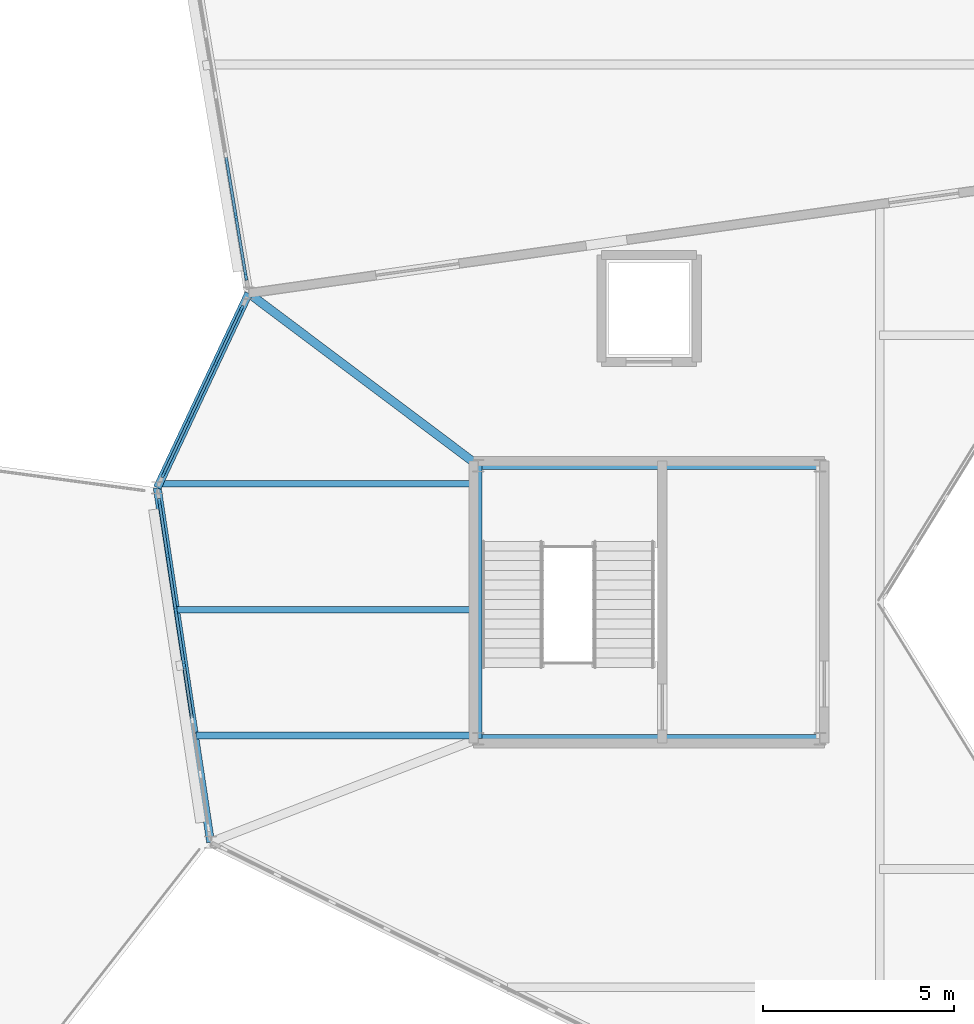
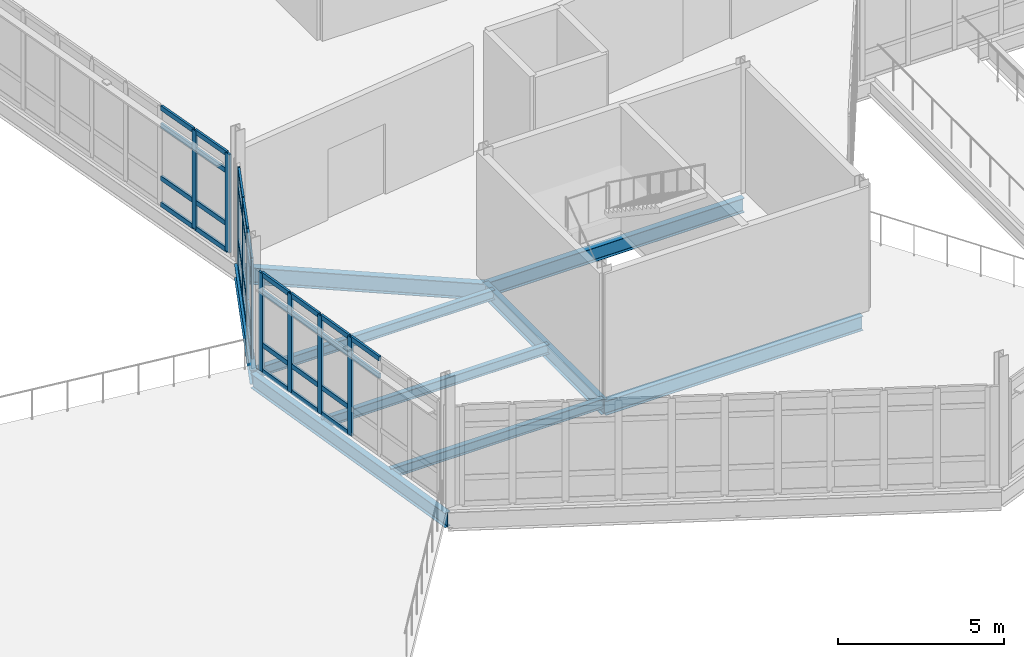
# One storey, part 27 of 114: 44 members, 9 beams, 3 elements without a shape of their own.
"""IFC4 building model written with IfcOpenShell, lengths in metres."""

from ifc_helpers import new_model, si_unit, direction, frame, origin, origin_2d, place, context, subcontext, project, spatial, rectangle, i_section, extrude, material, material_profile, profile_set, type_object, element, aggregate, save


model = new_model("IFC4")

# Units and contexts
model_context = context("Model", 3, precision=1e-05, world=origin(), true_north=direction((0.0, 1.0)))
body_context = subcontext(model_context, "Body", "Model", "MODEL_VIEW")
ifc_project = project(units=[si_unit("LENGTHUNIT", "METRE"), si_unit("AREAUNIT", "SQUARE_METRE"), si_unit("VOLUMEUNIT", "CUBIC_METRE"), si_unit("PLANEANGLEUNIT", "RADIAN"), si_unit("MASSUNIT", "GRAM", prefix="KILO")], contexts=[model_context])

# Site, building, storey
site_placement = place(None, origin())
site = spatial("IfcSite", under=ifc_project, at=site_placement, CompositionType="ELEMENT")
building_placement = place(site_placement, origin())
building = spatial("IfcBuilding", under=site, at=building_placement, Name="Tameran Prism Museum", CompositionType="ELEMENT")
storey_placement = place(building_placement, frame((0.0, 0.0, 10.199951171875)))
storey = spatial("IfcBuildingStorey", under=building, at=storey_placement, Name="L02", CompositionType="ELEMENT", Elevation=10.199951171875)

# Beams
ifc_material_1 = material(Name="Steel Grade 300PLUS (300 MPa)", Category="steel")
ifc_material_profile_1 = material_profile(ifc_material_1, i_section(OverallWidth=0.172119140625, OverallDepth=0.35888671875, WebThickness=0.008056640625, FlangeThickness=0.012939453125, FilletRadius=0.011474609375, at=origin_2d()))
ifc_profile_set_1 = profile_set([ifc_material_profile_1])
beam_type_1 = type_object("IfcBeamType", Name="BM-J360A", PredefinedType="JOIST", material=ifc_profile_set_1)
beam_1_placement = place(storey_placement, frame((50.618896484375, 33.0, -0.37939453125), z_axis=(1.0, 0.0, 0.0), x_axis=(0.0, 1.0, 0.0)))
element("IfcBeam", 1, at=beam_1_placement, inside=storey, type_object=beam_type_1, Name="Floor Beam BM-0851", PredefinedType="JOIST", context=body_context, shape_type="SweptSolid", body=[
    extrude(i_section(OverallWidth=0.172119140625, OverallDepth=0.35888671875, WebThickness=0.008056640625, FlangeThickness=0.012939453125, FilletRadius=0.011474609375, at=origin_2d()), origin(), (0.0, 0.0, 1.0), 7.401123046875),
])
beam_2_placement = place(storey_placement, frame((49.69091796875, 39.60009765625, -0.37939453125), z_axis=(1.0, 0.0, 0.0), x_axis=(0.0, 1.0, 0.0)))
element("IfcBeam", 2, at=beam_2_placement, inside=storey, type_object=beam_type_1, Name="Floor Beam BM-0853", PredefinedType="JOIST", context=body_context, shape_type="SweptSolid", body=[
    extrude(i_section(OverallWidth=0.172119140625, OverallDepth=0.35888671875, WebThickness=0.008056640625, FlangeThickness=0.012939453125, FilletRadius=0.011474609375, at=origin_2d()), origin(), (0.0, 0.0, 1.0), 8.3291015625),
])
ifc_material_2 = material(Name="Steel Grade 300PLUS (300 MPa)", Category="steel")
ifc_material_profile_2 = material_profile(ifc_material_2, i_section(OverallWidth=0.1708984375, OverallDepth=0.35595703125, WebThickness=0.00732421875, FlangeThickness=0.011474609375, FilletRadius=0.011474609375, at=origin_2d()))
ifc_profile_set_2 = profile_set([ifc_material_profile_2])
beam_type_2 = type_object("IfcBeamType", Name="BM-J360B", PredefinedType="JOIST", material=ifc_profile_set_2)
beam_3_placement = place(storey_placement, frame((50.1220703125, 36.300048828125, -0.3779296875), z_axis=(1.0, 0.0, 0.0), x_axis=(0.0, 1.0, 0.0)))
element("IfcBeam", 3, at=beam_3_placement, inside=storey, type_object=beam_type_2, Name="Floor Beam BM-0852", PredefinedType="JOIST", context=body_context, shape_type="SweptSolid", body=[
    extrude(i_section(OverallWidth=0.1708984375, OverallDepth=0.35595703125, WebThickness=0.00732421875, FlangeThickness=0.011474609375, FilletRadius=0.011474609375, at=origin_2d()), origin(), (0.0, 0.0, 1.0), 7.89794921875),
])
ifc_material_3 = material(Name="Steel Grade 300PLUS (300 MPa)", Category="steel")
ifc_material_profile_3 = material_profile(ifc_material_3, i_section(OverallWidth=0.208984375, OverallDepth=0.532958984375, WebThickness=0.01025390625, FlangeThickness=0.015625, FilletRadius=0.013916015625, at=origin_2d()))
ifc_profile_set_3 = profile_set([ifc_material_profile_3])
beam_type_3 = type_object("IfcBeamType", Name="BM-SP530A", PredefinedType="SPANDREL", material=ifc_profile_set_3)
beam_4_placement = place(storey_placement, frame((49.60009765625, 39.5, -0.54638671875), z_axis=(0.148849460064, -0.988859867847, 0.0), x_axis=(0.988859867847, 0.148849460064, 0.0)))
element("IfcBeam", 4, at=beam_4_placement, inside=storey, type_object=beam_type_3, Name="Perimeter Spandrel SP-0679", PredefinedType="SPANDREL", context=body_context, shape_type="SweptSolid", body=[
    extrude(i_section(OverallWidth=0.208984375, OverallDepth=0.532958984375, WebThickness=0.01025390625, FlangeThickness=0.015625, FilletRadius=0.013916015625, at=origin_2d()), origin(), (0.0, 0.0, 1.0), 9.40478515625),
])
ifc_material_4 = material(Name="Steel Grade 300PLUS (300 MPa)", Category="steel")
ifc_material_profile_4 = material_profile(ifc_material_4, i_section(OverallWidth=0.208984375, OverallDepth=0.528076171875, WebThickness=0.009521484375, FlangeThickness=0.01318359375, FilletRadius=0.013916015625, at=origin_2d()))
ifc_profile_set_4 = profile_set([ifc_material_profile_4])
beam_type_4 = type_object("IfcBeamType", Name="BM-SP530B", PredefinedType="SPANDREL", material=ifc_profile_set_4)
beam_5_placement = place(storey_placement, frame((52.0, 44.60009765625, -0.4638671875), z_axis=(-0.425776176805, -0.904828518154, 0.0), x_axis=(0.904828518154, -0.425776176805, 0.0)))
element("IfcBeam", 5, at=beam_5_placement, inside=storey, type_object=beam_type_4, Name="Perimeter Spandrel SP-0684", PredefinedType="SPANDREL", context=body_context, shape_type="SweptSolid", body=[
    extrude(i_section(OverallWidth=0.208984375, OverallDepth=0.528076171875, WebThickness=0.009521484375, FlangeThickness=0.01318359375, FilletRadius=0.013916015625, at=origin_2d()), origin(), (0.0, 0.0, 1.0), 5.636474609375),
])
for number, where, z_axis, x_axis, name in (
    (6, (58.02001953125, 32.919921875, -0.50390625), (1.0, 0.0, 0.0), (0.0, 1.0, 0.0), "Core Ring Beam CTB-0769"),
    (7, (66.97998046875, 40.080078125, -0.50390625), (-1.0, 0.0, 0.0), (0.0, -1.0, 0.0), "Core Ring Beam CTB-0771"),
):
    element("IfcBeam", number, at=place(storey_placement, frame(where, z_axis=z_axis, x_axis=x_axis)), inside=storey, type_object=beam_type_4, Name=name, PredefinedType="SPANDREL", context=body_context, shape_type="SweptSolid", body=[
        extrude(i_section(OverallWidth=0.208984375, OverallDepth=0.528076171875, WebThickness=0.009521484375, FlangeThickness=0.01318359375, FilletRadius=0.013916015625, at=origin_2d()), origin(), (0.0, 0.0, 1.0), 8.9599609375),
    ])
beam_6_placement = place(storey_placement, frame((58.02001953125, 40.080078125, -0.50390625), z_axis=(0.0, -1.0, 0.0), x_axis=(1.0, 0.0, 0.0)))
element("IfcBeam", 8, at=beam_6_placement, inside=storey, type_object=beam_type_4, Name="Core Ring Beam CTB-0772", PredefinedType="SPANDREL", context=body_context, shape_type="SweptSolid", body=[
    extrude(i_section(OverallWidth=0.208984375, OverallDepth=0.528076171875, WebThickness=0.009521484375, FlangeThickness=0.01318359375, FilletRadius=0.013916015625, at=origin_2d()), origin(), (0.0, 0.0, 1.0), 7.16015625),
])
ifc_material_5 = material(Name="Steel Grade 300PLUS (300 MPa)", Category="steel")
ifc_material_profile_5 = material_profile(ifc_material_5, i_section(OverallWidth=0.22900390625, OverallDepth=0.612060546875, WebThickness=0.011962890625, FlangeThickness=0.01953125, FilletRadius=0.013916015625, at=origin_2d()))
ifc_profile_set_5 = profile_set([ifc_material_profile_5])
beam_type_5 = type_object("IfcBeamType", Name="BM-UB610A", PredefinedType="BEAM", material=ifc_profile_set_5)
beam_7_placement = place(storey_placement, frame((58.02001953125, 40.080078125, -0.56005859375), z_axis=(-0.799680766937, 0.600425408349, 0.0), x_axis=(-0.600425408349, -0.799680766937, 0.0)))
element("IfcBeam", 9, at=beam_7_placement, inside=storey, type_object=beam_type_5, Name="Frame Tie Girder FG-1416", PredefinedType="BEAM", context=body_context, shape_type="SweptSolid", body=[
    extrude(i_section(OverallWidth=0.22900390625, OverallDepth=0.612060546875, WebThickness=0.011962890625, FlangeThickness=0.01953125, FilletRadius=0.013916015625, at=origin_2d()), origin(), (0.0, 0.0, 1.0), 7.528076171875),
])

# Curtain wall, members
ifc_material_6 = material(Name="Anodised Aluminium 6063-T6 and Cyclone Solar Glass", Category="aluminium")
curtain_wall_type_1 = type_object("IfcCurtainWallType", Name="CW-FAC-488x362", PredefinedType="USERDEFINED", material=ifc_material_6)
curtain_wall_1_placement = place(storey_placement, origin())
curtain_wall_1 = element("IfcCurtainWall", 10, at=curtain_wall_1_placement, inside=storey, type_object=curtain_wall_type_1, Name="Unitised Curtain Wall CW-108", ObjectType="UNITISED CURTAIN WALL", PredefinedType="USERDEFINED")
ifc_material_7 = material(Name="Anodised Aluminium Alloy 6063-T6", Category="aluminium")
ifc_material_profile_6 = material_profile(ifc_material_7, rectangle(XDim=0.070068359375, YDim=0.179931640625, at=origin_2d()))
ifc_profile_set_6 = profile_set([ifc_material_profile_6])
member_type_1 = type_object("IfcMemberType", Name="CW-MUL-B", PredefinedType="MULLION", material=ifc_profile_set_6)
member_1_placement = place(storey_placement, frame((49.763916015625, 39.8486328125, 0.0), z_axis=(0.0, 0.0, 1.0), x_axis=(-0.904837292661, 0.425757529364, 0.0)))
member_1 = element("IfcMember", 11, at=member_1_placement, type_object=member_type_1, Name="CW-108 mullion 1", PredefinedType="MULLION", context=body_context, shape_type="SweptSolid", body=[
    extrude(rectangle(XDim=0.070068359375, YDim=0.179931640625, at=origin_2d()), origin(), (0.0, 0.0, 1.0), 3.6201171875),
])
member_2_placement = place(storey_placement, frame((50.44091796875, 41.28759765625, 0.0), z_axis=(0.0, 0.0, 1.0), x_axis=(-0.904837292661, 0.425757529364, 0.0)))
member_2 = element("IfcMember", 12, at=member_2_placement, type_object=member_type_1, Name="CW-108 mullion 2", PredefinedType="MULLION", context=body_context, shape_type="SweptSolid", body=[
    extrude(rectangle(XDim=0.070068359375, YDim=0.179931640625, at=origin_2d()), origin(), (0.0, 0.0, 1.0), 3.6201171875),
])
member_3_placement = place(storey_placement, frame((51.133056640625, 42.75830078125, 0.0), z_axis=(0.0, 0.0, 1.0), x_axis=(-0.904837292661, 0.425757529364, 0.0)))
member_3 = element("IfcMember", 13, at=member_3_placement, type_object=member_type_1, Name="CW-108 mullion 3", PredefinedType="MULLION", context=body_context, shape_type="SweptSolid", body=[
    extrude(rectangle(XDim=0.070068359375, YDim=0.179931640625, at=origin_2d()), origin(), (0.0, 0.0, 1.0), 3.6201171875),
])
member_4_placement = place(storey_placement, frame((51.81005859375, 44.197265625, 0.0), z_axis=(0.0, 0.0, 1.0), x_axis=(-0.904837292661, 0.425757529364, 0.0)))
member_4 = element("IfcMember", 14, at=member_4_placement, type_object=member_type_1, Name="CW-108 mullion 4", PredefinedType="MULLION", context=body_context, shape_type="SweptSolid", body=[
    extrude(rectangle(XDim=0.070068359375, YDim=0.179931640625, at=origin_2d()), origin(), (0.0, 0.0, 1.0), 3.6201171875),
])

ifc_material_8 = material(Name="Anodised Aluminium 6063-T6 and Cyclone Solar Glass", Category="aluminium")
curtain_wall_type_2 = type_object("IfcCurtainWallType", Name="CW-FAC-870x362", PredefinedType="USERDEFINED", material=ifc_material_8)
curtain_wall_2_placement = place(storey_placement, origin())
curtain_wall_2 = element("IfcCurtainWall", 15, at=curtain_wall_2_placement, inside=storey, type_object=curtain_wall_type_2, Name="Unitised Curtain Wall CW-105", ObjectType="UNITISED CURTAIN WALL", PredefinedType="USERDEFINED")
ifc_material_9 = material(Name="Anodised Aluminium Alloy 6063-T6", Category="aluminium")
ifc_material_profile_7 = material_profile(ifc_material_9, rectangle(XDim=0.074951171875, YDim=0.199951171875, at=origin_2d()))
ifc_profile_set_7 = profile_set([ifc_material_profile_7])
member_type_2 = type_object("IfcMemberType", Name="CW-MUL-C", PredefinedType="MULLION", material=ifc_profile_set_7)
member_5_placement = place(storey_placement, frame((50.300048828125, 34.85009765625, 0.0), z_axis=(0.0, 0.0, 1.0), x_axis=(-0.988855314933, -0.148879703546, 0.0)))
member_5 = element("IfcMember", 16, at=member_5_placement, type_object=member_type_2, Name="CW-105 mullion 4", PredefinedType="MULLION", context=body_context, shape_type="SweptSolid", body=[
    extrude(rectangle(XDim=0.074951171875, YDim=0.199951171875, at=origin_2d()), origin(), (0.0, 0.0, 1.0), 3.6201171875),
])
member_6_placement = place(storey_placement, frame((50.083984375, 36.28466796875, 0.0), z_axis=(0.0, 0.0, 1.0), x_axis=(-0.988855314933, -0.148879703546, 0.0)))
member_6 = element("IfcMember", 17, at=member_6_placement, type_object=member_type_2, Name="CW-105 mullion 5", PredefinedType="MULLION", context=body_context, shape_type="SweptSolid", body=[
    extrude(rectangle(XDim=0.074951171875, YDim=0.199951171875, at=origin_2d()), origin(), (0.0, 0.0, 1.0), 3.6201171875),
])
member_7_placement = place(storey_placement, frame((49.867919921875, 37.71923828125, 0.0), z_axis=(0.0, 0.0, 1.0), x_axis=(-0.988855314933, -0.148879703546, 0.0)))
member_7 = element("IfcMember", 18, at=member_7_placement, type_object=member_type_2, Name="CW-105 mullion 6", PredefinedType="MULLION", context=body_context, shape_type="SweptSolid", body=[
    extrude(rectangle(XDim=0.074951171875, YDim=0.199951171875, at=origin_2d()), origin(), (0.0, 0.0, 1.0), 3.6201171875),
])
member_8_placement = place(storey_placement, frame((49.657470703125, 39.116943359375, 0.0), z_axis=(0.0, 0.0, 1.0), x_axis=(-0.988855314933, -0.148879703546, 0.0)))
member_8 = element("IfcMember", 19, at=member_8_placement, type_object=member_type_2, Name="CW-105 mullion 7", PredefinedType="MULLION", context=body_context, shape_type="SweptSolid", body=[
    extrude(rectangle(XDim=0.074951171875, YDim=0.199951171875, at=origin_2d()), origin(), (0.0, 0.0, 1.0), 3.6201171875),
])

ifc_material_10 = material(Name="Anodised Aluminium 6063-T6 and Cyclone Solar Glass", Category="aluminium")
curtain_wall_type_3 = type_object("IfcCurtainWallType", Name="CW-FAC-1135x362", PredefinedType="USERDEFINED", material=ifc_material_10)
curtain_wall_3_placement = place(storey_placement, origin())
curtain_wall_3 = element("IfcCurtainWall", 20, at=curtain_wall_3_placement, inside=storey, type_object=curtain_wall_type_3, Name="Unitised Curtain Wall CW-113", ObjectType="UNITISED CURTAIN WALL", PredefinedType="USERDEFINED")
member_9_placement = place(storey_placement, frame((51.92578125, 45.041015625, 0.0), z_axis=(0.0, 0.0, 1.0), x_axis=(-0.986412973539, -0.164284648199, 0.0)))
member_9 = element("IfcMember", 21, at=member_9_placement, type_object=member_type_2, Name="CW-113 mullion 1", PredefinedType="MULLION", context=body_context, shape_type="SweptSolid", body=[
    extrude(rectangle(XDim=0.074951171875, YDim=0.199951171875, at=origin_2d()), origin(), (0.0, 0.0, 1.0), 3.6201171875),
])
member_10_placement = place(storey_placement, frame((51.665771484375, 46.602783203125, 0.0), z_axis=(0.0, 0.0, 1.0), x_axis=(-0.986412973539, -0.164284648199, 0.0)))
member_10 = element("IfcMember", 22, at=member_10_placement, type_object=member_type_2, Name="CW-113 mullion 2", PredefinedType="MULLION", context=body_context, shape_type="SweptSolid", body=[
    extrude(rectangle(XDim=0.074951171875, YDim=0.199951171875, at=origin_2d()), origin(), (0.0, 0.0, 1.0), 3.6201171875),
])

# Member
ifc_material_11 = material(Name="Anodised Aluminium Alloy 6063-T6", Category="aluminium")
ifc_material_profile_8 = material_profile(ifc_material_11, rectangle(XDim=0.070068359375, YDim=0.155029296875, at=origin_2d()))
ifc_profile_set_8 = profile_set([ifc_material_profile_8])
member_type_3 = type_object("IfcMemberType", Name="CW-TRN-B", PredefinedType="USERDEFINED", material=ifc_profile_set_8)
member_11_placement = place(storey_placement, frame((49.77880859375, 39.88037109375, 0.03515625), z_axis=(0.425696500869, 0.904866006184, 0.0), x_axis=(-0.904866006184, 0.425696500869, 0.0)))
member_11 = element("IfcMember", 23, at=member_11_placement, type_object=member_type_3, Name="CW-108 transom 1.1", ObjectType="TRANSOM", PredefinedType="USERDEFINED", context=body_context, shape_type="SweptSolid", body=[
    extrude(rectangle(XDim=0.070068359375, YDim=0.155029296875, at=origin_2d()), origin(), (0.0, 0.0, 1.0), 1.520263671875),
])

member_12_placement = place(storey_placement, frame((49.77880859375, 39.88037109375, 1.0), z_axis=(0.425696500869, 0.904866006184, 0.0), x_axis=(-0.904866006184, 0.425696500869, 0.0)))
member_12 = element("IfcMember", 24, at=member_12_placement, type_object=member_type_3, Name="CW-108 transom 1.2", ObjectType="TRANSOM", PredefinedType="USERDEFINED", context=body_context, shape_type="SweptSolid", body=[
    extrude(rectangle(XDim=0.070068359375, YDim=0.155029296875, at=origin_2d()), origin(), (0.0, 0.0, 1.0), 1.520263671875),
])

member_13_placement = place(storey_placement, frame((49.77880859375, 39.88037109375, 2.93994140625), z_axis=(0.425696500869, 0.904866006184, 0.0), x_axis=(-0.904866006184, 0.425696500869, 0.0)))
member_13 = element("IfcMember", 25, at=member_13_placement, type_object=member_type_3, Name="CW-108 transom 1.3", ObjectType="TRANSOM", PredefinedType="USERDEFINED", context=body_context, shape_type="SweptSolid", body=[
    extrude(rectangle(XDim=0.070068359375, YDim=0.155029296875, at=origin_2d()), origin(), (0.0, 0.0, 1.0), 1.520263671875),
])

member_14_placement = place(storey_placement, frame((49.77880859375, 39.88037109375, 3.5849609375), z_axis=(0.425696500869, 0.904866006184, 0.0), x_axis=(-0.904866006184, 0.425696500869, 0.0)))
member_14 = element("IfcMember", 26, at=member_14_placement, type_object=member_type_3, Name="CW-108 transom 1.4", ObjectType="TRANSOM", PredefinedType="USERDEFINED", context=body_context, shape_type="SweptSolid", body=[
    extrude(rectangle(XDim=0.070068359375, YDim=0.155029296875, at=origin_2d()), origin(), (0.0, 0.0, 1.0), 1.520263671875),
])

member_15_placement = place(storey_placement, frame((50.455810546875, 41.3193359375, 0.03515625), z_axis=(0.425865071154, 0.904786682689, 0.0), x_axis=(-0.904786682689, 0.425865071154, 0.0)))
member_15 = element("IfcMember", 27, at=member_15_placement, type_object=member_type_3, Name="CW-108 transom 2.1", ObjectType="TRANSOM", PredefinedType="USERDEFINED", context=body_context, shape_type="SweptSolid", body=[
    extrude(rectangle(XDim=0.070068359375, YDim=0.155029296875, at=origin_2d()), origin(), (0.0, 0.0, 1.0), 1.555419921875),
])

member_16_placement = place(storey_placement, frame((50.455810546875, 41.3193359375, 1.0), z_axis=(0.425865071154, 0.904786682689, 0.0), x_axis=(-0.904786682689, 0.425865071154, 0.0)))
member_16 = element("IfcMember", 28, at=member_16_placement, type_object=member_type_3, Name="CW-108 transom 2.2", ObjectType="TRANSOM", PredefinedType="USERDEFINED", context=body_context, shape_type="SweptSolid", body=[
    extrude(rectangle(XDim=0.070068359375, YDim=0.155029296875, at=origin_2d()), origin(), (0.0, 0.0, 1.0), 1.555419921875),
])

member_17_placement = place(storey_placement, frame((50.455810546875, 41.3193359375, 2.93994140625), z_axis=(0.425865071154, 0.904786682689, 0.0), x_axis=(-0.904786682689, 0.425865071154, 0.0)))
member_17 = element("IfcMember", 29, at=member_17_placement, type_object=member_type_3, Name="CW-108 transom 2.3", ObjectType="TRANSOM", PredefinedType="USERDEFINED", context=body_context, shape_type="SweptSolid", body=[
    extrude(rectangle(XDim=0.070068359375, YDim=0.155029296875, at=origin_2d()), origin(), (0.0, 0.0, 1.0), 1.555419921875),
])

member_18_placement = place(storey_placement, frame((50.455810546875, 41.3193359375, 3.5849609375), z_axis=(0.425865071154, 0.904786682689, 0.0), x_axis=(-0.904786682689, 0.425865071154, 0.0)))
member_18 = element("IfcMember", 30, at=member_18_placement, type_object=member_type_3, Name="CW-108 transom 2.4", ObjectType="TRANSOM", PredefinedType="USERDEFINED", context=body_context, shape_type="SweptSolid", body=[
    extrude(rectangle(XDim=0.070068359375, YDim=0.155029296875, at=origin_2d()), origin(), (0.0, 0.0, 1.0), 1.555419921875),
])

member_19_placement = place(storey_placement, frame((51.14794921875, 42.7900390625, 0.03515625), z_axis=(0.425696500869, 0.904866006184, 0.0), x_axis=(-0.904866006184, 0.425696500869, 0.0)))
member_19 = element("IfcMember", 31, at=member_19_placement, type_object=member_type_3, Name="CW-108 transom 3.1", ObjectType="TRANSOM", PredefinedType="USERDEFINED", context=body_context, shape_type="SweptSolid", body=[
    extrude(rectangle(XDim=0.070068359375, YDim=0.155029296875, at=origin_2d()), origin(), (0.0, 0.0, 1.0), 1.520263671875),
])

member_20_placement = place(storey_placement, frame((51.14794921875, 42.7900390625, 1.0), z_axis=(0.425696500869, 0.904866006184, 0.0), x_axis=(-0.904866006184, 0.425696500869, 0.0)))
member_20 = element("IfcMember", 32, at=member_20_placement, type_object=member_type_3, Name="CW-108 transom 3.2", ObjectType="TRANSOM", PredefinedType="USERDEFINED", context=body_context, shape_type="SweptSolid", body=[
    extrude(rectangle(XDim=0.070068359375, YDim=0.155029296875, at=origin_2d()), origin(), (0.0, 0.0, 1.0), 1.520263671875),
])

member_21_placement = place(storey_placement, frame((51.14794921875, 42.7900390625, 2.93994140625), z_axis=(0.425696500869, 0.904866006184, 0.0), x_axis=(-0.904866006184, 0.425696500869, 0.0)))
member_21 = element("IfcMember", 33, at=member_21_placement, type_object=member_type_3, Name="CW-108 transom 3.3", ObjectType="TRANSOM", PredefinedType="USERDEFINED", context=body_context, shape_type="SweptSolid", body=[
    extrude(rectangle(XDim=0.070068359375, YDim=0.155029296875, at=origin_2d()), origin(), (0.0, 0.0, 1.0), 1.520263671875),
])

member_22_placement = place(storey_placement, frame((51.14794921875, 42.7900390625, 3.5849609375), z_axis=(0.425696500869, 0.904866006184, 0.0), x_axis=(-0.904866006184, 0.425696500869, 0.0)))
member_22 = element("IfcMember", 34, at=member_22_placement, type_object=member_type_3, Name="CW-108 transom 3.4", ObjectType="TRANSOM", PredefinedType="USERDEFINED", context=body_context, shape_type="SweptSolid", body=[
    extrude(rectangle(XDim=0.070068359375, YDim=0.155029296875, at=origin_2d()), origin(), (0.0, 0.0, 1.0), 1.520263671875),
])

aggregate(curtain_wall_1, [member_1, member_2, member_3, member_4, member_11, member_12, member_13, member_14, member_15, member_16, member_17, member_18, member_19, member_20, member_21, member_22])

ifc_material_12 = material(Name="Anodised Aluminium Alloy 6063-T6", Category="aluminium")
ifc_material_profile_9 = material_profile(ifc_material_12, rectangle(XDim=0.074951171875, YDim=0.175048828125, at=origin_2d()))
ifc_profile_set_9 = profile_set([ifc_material_profile_9])
member_type_4 = type_object("IfcMemberType", Name="CW-TRN-C", PredefinedType="USERDEFINED", material=ifc_profile_set_9)
member_23_placement = place(storey_placement, frame((50.510498046875, 33.452392578125, 2.93994140625), z_axis=(-0.148869706091, 0.988856820075, 0.0), x_axis=(-0.988856820075, -0.148869706091, 0.0)))
member_23 = element("IfcMember", 35, at=member_23_placement, type_object=member_type_4, Name="CW-105 transom 3.3", ObjectType="TRANSOM", PredefinedType="USERDEFINED", context=body_context, shape_type="SweptSolid", body=[
    extrude(rectangle(XDim=0.074951171875, YDim=0.175048828125, at=origin_2d()), origin(), (0.0, 0.0, 1.0), 1.3759765625),
])

member_24_placement = place(storey_placement, frame((50.510498046875, 33.452392578125, 3.58251953125), z_axis=(-0.148869706091, 0.988856820075, 0.0), x_axis=(-0.988856820075, -0.148869706091, 0.0)))
member_24 = element("IfcMember", 36, at=member_24_placement, type_object=member_type_4, Name="CW-105 transom 3.4", ObjectType="TRANSOM", PredefinedType="USERDEFINED", context=body_context, shape_type="SweptSolid", body=[
    extrude(rectangle(XDim=0.074951171875, YDim=0.175048828125, at=origin_2d()), origin(), (0.0, 0.0, 1.0), 1.3759765625),
])

member_25_placement = place(storey_placement, frame((50.29443359375, 34.886962890625, 0.03759765625), z_axis=(-0.148869706091, 0.988856820075, 0.0), x_axis=(-0.988856820075, -0.148869706091, 0.0)))
member_25 = element("IfcMember", 37, at=member_25_placement, type_object=member_type_4, Name="CW-105 transom 4.1", ObjectType="TRANSOM", PredefinedType="USERDEFINED", context=body_context, shape_type="SweptSolid", body=[
    extrude(rectangle(XDim=0.074951171875, YDim=0.175048828125, at=origin_2d()), origin(), (0.0, 0.0, 1.0), 1.3759765625),
])

member_26_placement = place(storey_placement, frame((50.29443359375, 34.886962890625, 1.0), z_axis=(-0.148869706091, 0.988856820075, 0.0), x_axis=(-0.988856820075, -0.148869706091, 0.0)))
member_26 = element("IfcMember", 38, at=member_26_placement, type_object=member_type_4, Name="CW-105 transom 4.2", ObjectType="TRANSOM", PredefinedType="USERDEFINED", context=body_context, shape_type="SweptSolid", body=[
    extrude(rectangle(XDim=0.074951171875, YDim=0.175048828125, at=origin_2d()), origin(), (0.0, 0.0, 1.0), 1.3759765625),
])

member_27_placement = place(storey_placement, frame((50.29443359375, 34.886962890625, 2.93994140625), z_axis=(-0.148869706091, 0.988856820075, 0.0), x_axis=(-0.988856820075, -0.148869706091, 0.0)))
member_27 = element("IfcMember", 39, at=member_27_placement, type_object=member_type_4, Name="CW-105 transom 4.3", ObjectType="TRANSOM", PredefinedType="USERDEFINED", context=body_context, shape_type="SweptSolid", body=[
    extrude(rectangle(XDim=0.074951171875, YDim=0.175048828125, at=origin_2d()), origin(), (0.0, 0.0, 1.0), 1.3759765625),
])

member_28_placement = place(storey_placement, frame((50.29443359375, 34.886962890625, 3.58251953125), z_axis=(-0.148869706091, 0.988856820075, 0.0), x_axis=(-0.988856820075, -0.148869706091, 0.0)))
member_28 = element("IfcMember", 40, at=member_28_placement, type_object=member_type_4, Name="CW-105 transom 4.4", ObjectType="TRANSOM", PredefinedType="USERDEFINED", context=body_context, shape_type="SweptSolid", body=[
    extrude(rectangle(XDim=0.074951171875, YDim=0.175048828125, at=origin_2d()), origin(), (0.0, 0.0, 1.0), 1.3759765625),
])

member_29_placement = place(storey_placement, frame((50.078369140625, 36.32177734375, 0.03759765625), z_axis=(-0.148869706091, 0.988856820075, 0.0), x_axis=(-0.988856820075, -0.148869706091, 0.0)))
member_29 = element("IfcMember", 41, at=member_29_placement, type_object=member_type_4, Name="CW-105 transom 5.1", ObjectType="TRANSOM", PredefinedType="USERDEFINED", context=body_context, shape_type="SweptSolid", body=[
    extrude(rectangle(XDim=0.074951171875, YDim=0.175048828125, at=origin_2d()), origin(), (0.0, 0.0, 1.0), 1.3759765625),
])

member_30_placement = place(storey_placement, frame((50.078369140625, 36.32177734375, 1.0), z_axis=(-0.148869706091, 0.988856820075, 0.0), x_axis=(-0.988856820075, -0.148869706091, 0.0)))
member_30 = element("IfcMember", 42, at=member_30_placement, type_object=member_type_4, Name="CW-105 transom 5.2", ObjectType="TRANSOM", PredefinedType="USERDEFINED", context=body_context, shape_type="SweptSolid", body=[
    extrude(rectangle(XDim=0.074951171875, YDim=0.175048828125, at=origin_2d()), origin(), (0.0, 0.0, 1.0), 1.3759765625),
])

member_31_placement = place(storey_placement, frame((50.078369140625, 36.32177734375, 2.93994140625), z_axis=(-0.148869706091, 0.988856820075, 0.0), x_axis=(-0.988856820075, -0.148869706091, 0.0)))
member_31 = element("IfcMember", 43, at=member_31_placement, type_object=member_type_4, Name="CW-105 transom 5.3", ObjectType="TRANSOM", PredefinedType="USERDEFINED", context=body_context, shape_type="SweptSolid", body=[
    extrude(rectangle(XDim=0.074951171875, YDim=0.175048828125, at=origin_2d()), origin(), (0.0, 0.0, 1.0), 1.3759765625),
])

member_32_placement = place(storey_placement, frame((50.078369140625, 36.32177734375, 3.58251953125), z_axis=(-0.148869706091, 0.988856820075, 0.0), x_axis=(-0.988856820075, -0.148869706091, 0.0)))
member_32 = element("IfcMember", 44, at=member_32_placement, type_object=member_type_4, Name="CW-105 transom 5.4", ObjectType="TRANSOM", PredefinedType="USERDEFINED", context=body_context, shape_type="SweptSolid", body=[
    extrude(rectangle(XDim=0.074951171875, YDim=0.175048828125, at=origin_2d()), origin(), (0.0, 0.0, 1.0), 1.3759765625),
])

member_33_placement = place(storey_placement, frame((49.8623046875, 37.75634765625, 0.03759765625), z_axis=(-0.148848870067, 0.988859956657, 0.0), x_axis=(-0.988859956657, -0.148848870067, 0.0)))
member_33 = element("IfcMember", 45, at=member_33_placement, type_object=member_type_4, Name="CW-105 transom 6.1", ObjectType="TRANSOM", PredefinedType="USERDEFINED", context=body_context, shape_type="SweptSolid", body=[
    extrude(rectangle(XDim=0.074951171875, YDim=0.175048828125, at=origin_2d()), origin(), (0.0, 0.0, 1.0), 1.33837890625),
])

member_34_placement = place(storey_placement, frame((49.8623046875, 37.75634765625, 1.0), z_axis=(-0.148848870067, 0.988859956657, 0.0), x_axis=(-0.988859956657, -0.148848870067, 0.0)))
member_34 = element("IfcMember", 46, at=member_34_placement, type_object=member_type_4, Name="CW-105 transom 6.2", ObjectType="TRANSOM", PredefinedType="USERDEFINED", context=body_context, shape_type="SweptSolid", body=[
    extrude(rectangle(XDim=0.074951171875, YDim=0.175048828125, at=origin_2d()), origin(), (0.0, 0.0, 1.0), 1.33837890625),
])

member_35_placement = place(storey_placement, frame((49.8623046875, 37.75634765625, 2.93994140625), z_axis=(-0.148848870067, 0.988859956657, 0.0), x_axis=(-0.988859956657, -0.148848870067, 0.0)))
member_35 = element("IfcMember", 47, at=member_35_placement, type_object=member_type_4, Name="CW-105 transom 6.3", ObjectType="TRANSOM", PredefinedType="USERDEFINED", context=body_context, shape_type="SweptSolid", body=[
    extrude(rectangle(XDim=0.074951171875, YDim=0.175048828125, at=origin_2d()), origin(), (0.0, 0.0, 1.0), 1.33837890625),
])

member_36_placement = place(storey_placement, frame((49.8623046875, 37.75634765625, 3.58251953125), z_axis=(-0.148848870067, 0.988859956657, 0.0), x_axis=(-0.988859956657, -0.148848870067, 0.0)))
member_36 = element("IfcMember", 48, at=member_36_placement, type_object=member_type_4, Name="CW-105 transom 6.4", ObjectType="TRANSOM", PredefinedType="USERDEFINED", context=body_context, shape_type="SweptSolid", body=[
    extrude(rectangle(XDim=0.074951171875, YDim=0.175048828125, at=origin_2d()), origin(), (0.0, 0.0, 1.0), 1.33837890625),
])

aggregate(curtain_wall_2, [member_5, member_6, member_7, member_8, member_23, member_24, member_25, member_26, member_27, member_28, member_29, member_30, member_31, member_32, member_33, member_34, member_35, member_36])

member_37_placement = place(storey_placement, frame((51.919677734375, 45.077880859375, 0.03759765625), z_axis=(-0.164267764098, 0.986415785396, 0.0), x_axis=(-0.986415785396, -0.164267764098, 0.0)))
member_37 = element("IfcMember", 49, at=member_37_placement, type_object=member_type_4, Name="CW-113 transom 1.1", ObjectType="TRANSOM", PredefinedType="USERDEFINED", context=body_context, shape_type="SweptSolid", body=[
    extrude(rectangle(XDim=0.074951171875, YDim=0.175048828125, at=origin_2d()), origin(), (0.0, 0.0, 1.0), 1.508544921875),
])

member_38_placement = place(storey_placement, frame((51.919677734375, 45.077880859375, 1.0), z_axis=(-0.164267764098, 0.986415785396, 0.0), x_axis=(-0.986415785396, -0.164267764098, 0.0)))
member_38 = element("IfcMember", 50, at=member_38_placement, type_object=member_type_4, Name="CW-113 transom 1.2", ObjectType="TRANSOM", PredefinedType="USERDEFINED", context=body_context, shape_type="SweptSolid", body=[
    extrude(rectangle(XDim=0.074951171875, YDim=0.175048828125, at=origin_2d()), origin(), (0.0, 0.0, 1.0), 1.508544921875),
])

member_39_placement = place(storey_placement, frame((51.919677734375, 45.077880859375, 2.93994140625), z_axis=(-0.164267764098, 0.986415785396, 0.0), x_axis=(-0.986415785396, -0.164267764098, 0.0)))
member_39 = element("IfcMember", 51, at=member_39_placement, type_object=member_type_4, Name="CW-113 transom 1.3", ObjectType="TRANSOM", PredefinedType="USERDEFINED", context=body_context, shape_type="SweptSolid", body=[
    extrude(rectangle(XDim=0.074951171875, YDim=0.175048828125, at=origin_2d()), origin(), (0.0, 0.0, 1.0), 1.508544921875),
])

member_40_placement = place(storey_placement, frame((51.919677734375, 45.077880859375, 3.58251953125), z_axis=(-0.164267764098, 0.986415785396, 0.0), x_axis=(-0.986415785396, -0.164267764098, 0.0)))
member_40 = element("IfcMember", 52, at=member_40_placement, type_object=member_type_4, Name="CW-113 transom 1.4", ObjectType="TRANSOM", PredefinedType="USERDEFINED", context=body_context, shape_type="SweptSolid", body=[
    extrude(rectangle(XDim=0.074951171875, YDim=0.175048828125, at=origin_2d()), origin(), (0.0, 0.0, 1.0), 1.508544921875),
])

member_41_placement = place(storey_placement, frame((51.65966796875, 46.639892578125, 0.03759765625), z_axis=(-0.164398987305, 0.986393923832, 0.0), x_axis=(-0.986393923832, -0.164398987305, 0.0)))
member_41 = element("IfcMember", 53, at=member_41_placement, type_object=member_type_4, Name="CW-113 transom 2.1", ObjectType="TRANSOM", PredefinedType="USERDEFINED", context=body_context, shape_type="SweptSolid", body=[
    extrude(rectangle(XDim=0.074951171875, YDim=0.175048828125, at=origin_2d()), origin(), (0.0, 0.0, 1.0), 1.5458984375),
])

member_42_placement = place(storey_placement, frame((51.65966796875, 46.639892578125, 1.0), z_axis=(-0.164398987305, 0.986393923832, 0.0), x_axis=(-0.986393923832, -0.164398987305, 0.0)))
member_42 = element("IfcMember", 54, at=member_42_placement, type_object=member_type_4, Name="CW-113 transom 2.2", ObjectType="TRANSOM", PredefinedType="USERDEFINED", context=body_context, shape_type="SweptSolid", body=[
    extrude(rectangle(XDim=0.074951171875, YDim=0.175048828125, at=origin_2d()), origin(), (0.0, 0.0, 1.0), 1.5458984375),
])

member_43_placement = place(storey_placement, frame((51.65966796875, 46.639892578125, 2.93994140625), z_axis=(-0.164398987305, 0.986393923832, 0.0), x_axis=(-0.986393923832, -0.164398987305, 0.0)))
member_43 = element("IfcMember", 55, at=member_43_placement, type_object=member_type_4, Name="CW-113 transom 2.3", ObjectType="TRANSOM", PredefinedType="USERDEFINED", context=body_context, shape_type="SweptSolid", body=[
    extrude(rectangle(XDim=0.074951171875, YDim=0.175048828125, at=origin_2d()), origin(), (0.0, 0.0, 1.0), 1.5458984375),
])

member_44_placement = place(storey_placement, frame((51.65966796875, 46.639892578125, 3.58251953125), z_axis=(-0.164398987305, 0.986393923832, 0.0), x_axis=(-0.986393923832, -0.164398987305, 0.0)))
member_44 = element("IfcMember", 56, at=member_44_placement, type_object=member_type_4, Name="CW-113 transom 2.4", ObjectType="TRANSOM", PredefinedType="USERDEFINED", context=body_context, shape_type="SweptSolid", body=[
    extrude(rectangle(XDim=0.074951171875, YDim=0.175048828125, at=origin_2d()), origin(), (0.0, 0.0, 1.0), 1.5458984375),
])

aggregate(curtain_wall_3, [member_9, member_10, member_37, member_38, member_39, member_40, member_41, member_42, member_43, member_44])

save(model, "model.ifc")
